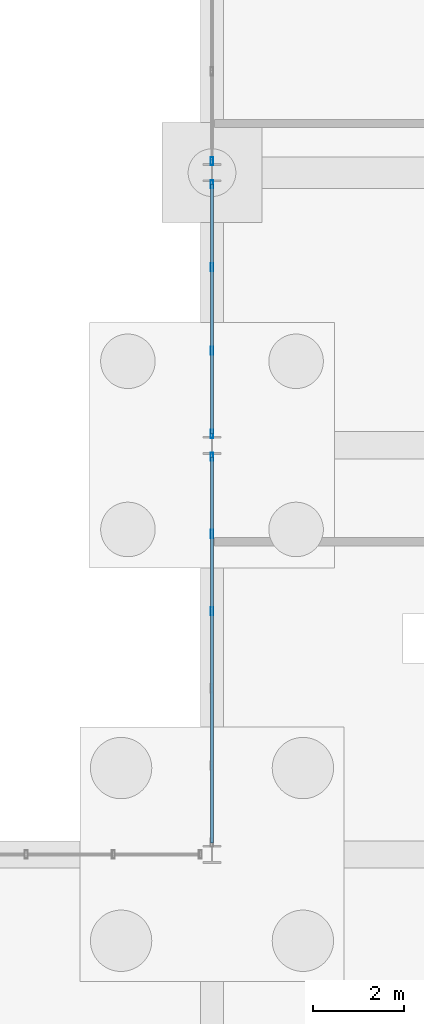
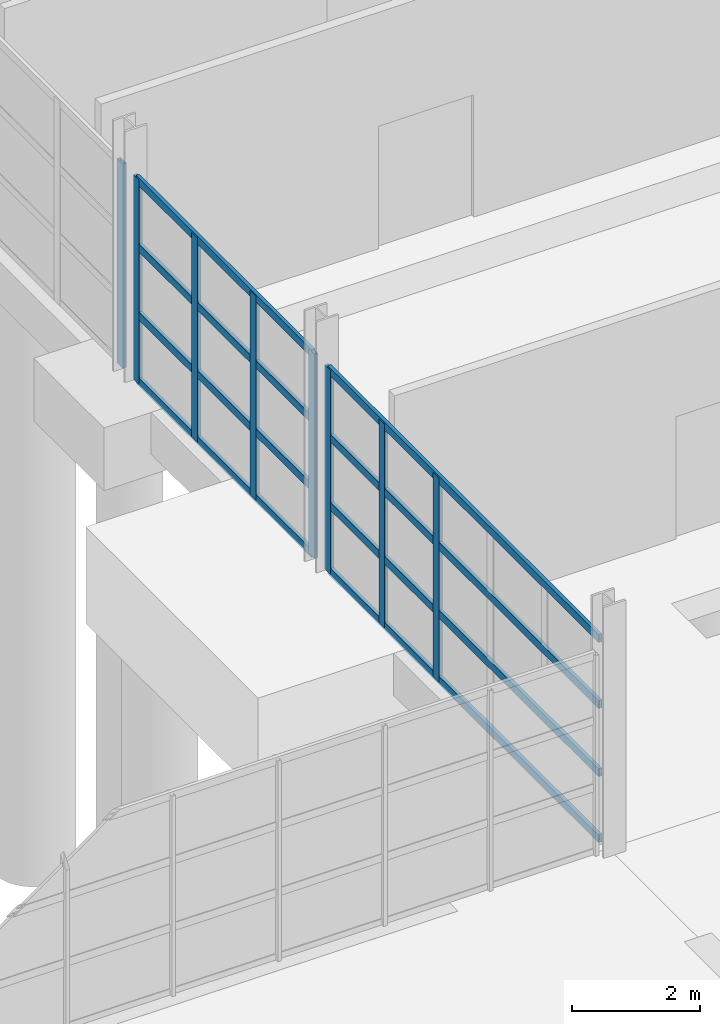
# One storey, part 37 of 82: 16 members, 3 elements without a shape of their own.
"""IFC4 building model written with IfcOpenShell, lengths in metres."""

import ifcopenshell
import ifcopenshell.guid

model = None  # the IFC model being written
_history = None  # IfcOwnerHistory: only IFC2X3 demands one
_inside = {}  # id of a spatial element -> (the spatial element, [elements in it])
_under = {}  # id of a project, library or spatial element -> (it, [spatial elements below it])
_declared = {}  # id of a project -> (the project, [libraries it declares])
_typed = {}  # id of a type object -> (the type object, [elements of that type])
_made_of = {}  # id of a material, layer set ... -> (it, [elements and type objects made of it])


def new_model(schema):
    """Start an empty IFC model of exactly this schema.

    Asked for "IFC4X3", IfcOpenShell would pick the latest addendum, in which some entities
    have other attributes; the version numbers below select the first issue.
    IFC2X3 requires an IfcOwnerHistory on every rooted entity: one is made here for all.
    """
    global model, _history
    if schema == "IFC4X3":
        model = ifcopenshell.file(schema_version=(4, 3, 0, 0))
    else:
        model = ifcopenshell.file(schema=schema)
    _inside.clear()
    _under.clear()
    _declared.clear()
    _typed.clear()
    _made_of.clear()
    _history = None
    if model.schema == "IFC2X3":
        org = make("IfcOrganization", Name="unknown")
        user = make(
            "IfcPersonAndOrganization",
            ThePerson=make("IfcPerson", FamilyName="unknown"),
            TheOrganization=org,
        )
        app = make(
            "IfcApplication",
            ApplicationDeveloper=org,
            Version="unknown",
            ApplicationFullName="unknown",
            ApplicationIdentifier="unknown",
        )
        _history = make(
            "IfcOwnerHistory",
            OwningUser=user,
            OwningApplication=app,
            ChangeAction="ADDED",
            CreationDate=0,
        )
    return model


def make(cls, **values):
    """One entity of the class cls with the attributes given. An attribute that is None is left unset."""
    return model.create_entity(
        cls, **{name: value for name, value in values.items() if value is not None}
    )


def rooted(cls, **values):
    """An entity with a GlobalId (a new one), such as an element, a storey or a relation."""
    return make(cls, GlobalId=ifcopenshell.guid.new(), OwnerHistory=_history, **values)


def si_unit(unit_type, name, prefix=None):
    """IfcSIUnit, for example si_unit("LENGTHUNIT", "METRE", prefix="MILLI")."""
    return make("IfcSIUnit", UnitType=unit_type, Prefix=prefix, Name=name)


def assignment(units):
    """IfcUnitAssignment: the units of a project."""
    return None if units is None else make("IfcUnitAssignment", Units=units)


def point(xyz):
    """IfcCartesianPoint."""
    return None if xyz is None else make("IfcCartesianPoint", Coordinates=xyz)


def direction(xyz):
    """IfcDirection."""
    return None if xyz is None else make("IfcDirection", DirectionRatios=xyz)


def frame(location, z_axis=None, x_axis=None):
    """IfcAxis2Placement3D, a coordinate frame: its origin and axes. An axis left out is left unset."""
    return make(
        "IfcAxis2Placement3D",
        Location=point(location),
        Axis=direction(z_axis),
        RefDirection=direction(x_axis),
    )


def frame_2d(location, x_axis=None):
    """IfcAxis2Placement2D, a coordinate frame in the plane: its origin and x axis."""
    return make(
        "IfcAxis2Placement2D", Location=point(location), RefDirection=direction(x_axis)
    )


def origin():
    """The frame at (0, 0, 0) with its axes left unset."""
    return frame((0.0, 0.0, 0.0))


def origin_2d():
    """The frame at (0, 0) in the plane with its x axis left unset."""
    return frame_2d((0.0, 0.0))


def place(relative_to, where):
    """IfcLocalPlacement: puts the frame where relative to a parent placement (None: the world)."""
    return make(
        "IfcLocalPlacement", PlacementRelTo=relative_to, RelativePlacement=where
    )


def context(
    kind, dimensions, precision=None, world=None, true_north=None, identifier=None
):
    """IfcGeometricRepresentationContext, for example the 3D "Model" context."""
    return make(
        "IfcGeometricRepresentationContext",
        ContextIdentifier=identifier,
        ContextType=kind,
        CoordinateSpaceDimension=dimensions,
        Precision=precision,
        WorldCoordinateSystem=world,
        TrueNorth=true_north,
    )


def subcontext(parent, identifier, kind, view, scale=None):
    """IfcGeometricRepresentationSubContext, for example "Body" below "Model"."""
    return make(
        "IfcGeometricRepresentationSubContext",
        ContextIdentifier=identifier,
        ContextType=kind,
        ParentContext=parent,
        TargetScale=scale,
        TargetView=view,
    )


def project(units=None, contexts=None):
    """IfcProject with its units and contexts."""
    return rooted(
        "IfcProject",
        Name="project",
        RepresentationContexts=contexts,
        UnitsInContext=assignment(units),
    )


def spatial(cls, under=None, at=None, **own):
    """A site, building, storey or space (cls), placed at a placement, below another one or the project."""
    s = rooted(cls, ObjectPlacement=at, **own)
    if under is not None:
        _under.setdefault(under.id(), (under, []))[1].append(s)
    return s


def profile(cls, at=None, kind="AREA", **sizes):
    """A parametric profile (cls). Its sizes go by their IFC names, for example OverallWidth=200.0."""
    return make(cls, ProfileType=kind, Position=at, **sizes)


def hollow_rectangle(**sizes):
    """IfcRectangleHollowProfileDef."""
    return profile("IfcRectangleHollowProfileDef", **sizes)


def extrude(swept, where, along, depth):
    """IfcExtrudedAreaSolid: the profile swept, set in the frame where, extruded along a direction by depth."""
    return make(
        "IfcExtrudedAreaSolid",
        SweptArea=swept,
        Position=where,
        ExtrudedDirection=direction(along),
        Depth=depth,
    )


def shape(context_of_items, identifier, shape_type, items):
    """IfcShapeRepresentation: the items that make up one representation, for example the "Body"."""
    return make(
        "IfcShapeRepresentation",
        ContextOfItems=context_of_items,
        RepresentationIdentifier=identifier,
        RepresentationType=shape_type,
        Items=items,
    )


def material(Name=None, Category=None):
    """IfcMaterial."""
    return make("IfcMaterial", Name=Name, Category=Category)


def material_profile(
    of_material, cross_section, Name=None, Category=None, Priority=None
):
    """IfcMaterialProfile: a cross section and its material."""
    return make(
        "IfcMaterialProfile",
        Name=Name,
        Material=of_material,
        Profile=cross_section,
        Priority=Priority,
        Category=Category,
    )


def profile_set(profiles, Name=None, composite=None):
    """IfcMaterialProfileSet."""
    return make(
        "IfcMaterialProfileSet",
        Name=Name,
        MaterialProfiles=profiles,
        CompositeProfile=composite,
    )


def made_of(thing, what):
    """Note that an element or type object is made of a material, layer set ...; save() writes the relation."""
    if what is not None:
        _made_of.setdefault(what.id(), (what, []))[1].append(thing)
    return thing


def type_object(cls, material=None, **own):
    """A type object (cls), such as IfcWallType, which elements share."""
    return made_of(rooted(cls, **own), material)


def element(
    cls,
    number,
    at=None,
    inside=None,
    cuts=None,
    type_object=None,
    material=None,
    context=None,
    identifier="Body",
    shape_type=None,
    held_by="IfcProductDefinitionShape",
    body=None,
    shapes=None,
    **own,
):
    """One element of the class cls, such as IfcWall. Its Tag is "e" and its number.

    at: its placement. inside: the storey or other place that contains it. cuts: it is an
    opening in that element (IfcRelVoidsElement). A single representation is given by context,
    identifier, shape_type and body (its items); several are given by shapes. held_by: the class
    of the entity that holds the representations. save() writes the other relations.
    """
    e = rooted(cls, Tag="e%d" % number, ObjectPlacement=at, **own)
    if body is not None:
        shapes = [shape(context, identifier, shape_type, body)]
    if shapes is not None:
        e.Representation = make(held_by, Representations=shapes)
    if inside is not None:
        _inside.setdefault(inside.id(), (inside, []))[1].append(e)
    if cuts is not None:
        rooted(
            "IfcRelVoidsElement", RelatingBuildingElement=cuts, RelatedOpeningElement=e
        )
    if type_object is not None:
        _typed.setdefault(type_object.id(), (type_object, []))[1].append(e)
    return made_of(e, material)


def aggregate(whole, parts):
    """IfcRelAggregates: a whole, such as a stair, and the parts it consists of."""
    return rooted("IfcRelAggregates", RelatingObject=whole, RelatedObjects=parts)


def save(model, path):
    """Write the relations noted so far, then the file.

    IfcRelAggregates (storeys below a building ...), IfcRelContainedInSpatialStructure (elements
    in a storey), IfcRelDefinesByType, IfcRelAssociatesMaterial and IfcRelDeclares: one each for
    every whole, place, type object, material and project.
    """
    for whole, parts in _under.values():
        aggregate(whole, parts)
    for where, things in _inside.values():
        rooted(
            "IfcRelContainedInSpatialStructure",
            RelatedElements=things,
            RelatingStructure=where,
        )
    for kind, things in _typed.values():
        rooted("IfcRelDefinesByType", RelatedObjects=things, RelatingType=kind)
    for what, things in _made_of.values():
        rooted("IfcRelAssociatesMaterial", RelatedObjects=things, RelatingMaterial=what)
    for by, libraries in _declared.values():
        rooted("IfcRelDeclares", RelatingContext=by, RelatedDefinitions=libraries)
    model.write(path)


model = new_model("IFC4")

# Units and contexts
model_context = context("Model", 3, precision=1e-05, world=origin(), true_north=direction((0.0, 1.0)))
body_context = subcontext(model_context, "Body", "Model", "MODEL_VIEW")
ifc_project = project(units=[si_unit("LENGTHUNIT", "METRE"), si_unit("AREAUNIT", "SQUARE_METRE"), si_unit("VOLUMEUNIT", "CUBIC_METRE"), si_unit("PLANEANGLEUNIT", "RADIAN"), si_unit("MASSUNIT", "GRAM", prefix="KILO")], contexts=[model_context])

# Site, building, storey
site_placement = place(None, origin())
site = spatial("IfcSite", under=ifc_project, at=site_placement, CompositionType="ELEMENT")
building_placement = place(site_placement, origin())
building = spatial("IfcBuilding", under=site, at=building_placement, Name="Kelmvaro Bay Concert Hall", CompositionType="ELEMENT")
storey_placement = place(building_placement, origin())
storey = spatial("IfcBuildingStorey", under=building, at=storey_placement, Name="L00", CompositionType="ELEMENT", Elevation=0.0)

# Curtain wall, members
ifc_material_1 = material(Name="Anodised Aluminium and Low-E Insulated Glazing", Category="aluminium")
curtain_wall_type = type_object("IfcCurtainWallType", Name="Chamber Foyer Curtain Wall 3900", PredefinedType="USERDEFINED", material=ifc_material_1)
curtain_wall_1_placement = place(storey_placement, origin())
curtain_wall_1 = element("IfcCurtainWall", 1, at=curtain_wall_1_placement, inside=storey, type_object=curtain_wall_type, Name="Unitised Curtain Wall CW-L00-032", ObjectType="UNITISED GLAZING", PredefinedType="USERDEFINED")
ifc_material_2 = material(Name="Anodised Extruded Aluminium 6063-T6", Category="aluminium")
ifc_material_profile_1 = material_profile(ifc_material_2, hollow_rectangle(XDim=0.06494140625, YDim=0.179931640625, WallThickness=0.00390625, at=origin_2d()), Name="ALU-MUL-180X65")
ifc_profile_set_1 = profile_set([ifc_material_profile_1], Name="Anodised Extruded Aluminium 6063-T6")
member_type_1 = type_object("IfcMemberType", Name="Curtain Mullion ALU 180x65", PredefinedType="MULLION", material=ifc_profile_set_1)
member_1_placement = place(storey_placement, frame((120.0, 79.150634765625, 0.0), z_axis=(0.0, 0.0, 1.0), x_axis=(1.0, 0.0, 0.0)))
member_1 = element("IfcMember", 2, at=member_1_placement, type_object=member_type_1, Name="CW-L00-032 Mullion 04", PredefinedType="MULLION", context=body_context, shape_type="SweptSolid", body=[
    extrude(hollow_rectangle(XDim=0.06494140625, YDim=0.179931640625, WallThickness=0.00390625, at=origin_2d()), origin(), (0.0, 0.0, 1.0), 3.908935546875),
])
member_2_placement = place(storey_placement, frame((120.0, 80.849365234375, 0.0), z_axis=(0.0, 0.0, 1.0), x_axis=(1.0, 0.0, 0.0)))
member_2 = element("IfcMember", 3, at=member_2_placement, type_object=member_type_1, Name="CW-L00-032 Mullion 05", PredefinedType="MULLION", context=body_context, shape_type="SweptSolid", body=[
    extrude(hollow_rectangle(XDim=0.06494140625, YDim=0.179931640625, WallThickness=0.00390625, at=origin_2d()), origin(), (0.0, 0.0, 1.0), 3.908935546875),
])
member_3_placement = place(storey_placement, frame((120.0, 82.548095703125, 0.0), z_axis=(0.0, 0.0, 1.0), x_axis=(1.0, 0.0, 0.0)))
member_3 = element("IfcMember", 4, at=member_3_placement, type_object=member_type_1, Name="CW-L00-032 Mullion 06", PredefinedType="MULLION", context=body_context, shape_type="SweptSolid", body=[
    extrude(hollow_rectangle(XDim=0.06494140625, YDim=0.179931640625, WallThickness=0.00390625, at=origin_2d()), origin(), (0.0, 0.0, 1.0), 3.908935546875),
])

curtain_wall_2_placement = place(storey_placement, origin())
curtain_wall_2 = element("IfcCurtainWall", 5, at=curtain_wall_2_placement, inside=storey, type_object=curtain_wall_type, Name="Unitised Curtain Wall CW-L00-033", ObjectType="UNITISED GLAZING", PredefinedType="USERDEFINED")
member_4_placement = place(storey_placement, frame((120.0, 83.052001953125, 0.0), z_axis=(0.0, 0.0, 1.0), x_axis=(1.0, 0.0, 0.0)))
member_4 = element("IfcMember", 6, at=member_4_placement, type_object=member_type_1, Name="CW-L00-033 Mullion 01", PredefinedType="MULLION", context=body_context, shape_type="SweptSolid", body=[
    extrude(hollow_rectangle(XDim=0.06494140625, YDim=0.179931640625, WallThickness=0.00390625, at=origin_2d()), origin(), (0.0, 0.0, 1.0), 3.907958984375),
])
member_5_placement = place(storey_placement, frame((120.0, 84.884033203125, 0.0), z_axis=(0.0, 0.0, 1.0), x_axis=(1.0, 0.0, 0.0)))
member_5 = element("IfcMember", 7, at=member_5_placement, type_object=member_type_1, Name="CW-L00-033 Mullion 02", PredefinedType="MULLION", context=body_context, shape_type="SweptSolid", body=[
    extrude(hollow_rectangle(XDim=0.06494140625, YDim=0.179931640625, WallThickness=0.00390625, at=origin_2d()), origin(), (0.0, 0.0, 1.0), 3.907958984375),
])
member_6_placement = place(storey_placement, frame((120.0, 86.716064453125, 0.0), z_axis=(0.0, 0.0, 1.0), x_axis=(1.0, 0.0, 0.0)))
member_6 = element("IfcMember", 8, at=member_6_placement, type_object=member_type_1, Name="CW-L00-033 Mullion 03", PredefinedType="MULLION", context=body_context, shape_type="SweptSolid", body=[
    extrude(hollow_rectangle(XDim=0.06494140625, YDim=0.179931640625, WallThickness=0.00390625, at=origin_2d()), origin(), (0.0, 0.0, 1.0), 3.907958984375),
])
member_7_placement = place(storey_placement, frame((120.0, 88.548095703125, 0.0), z_axis=(0.0, 0.0, 1.0), x_axis=(1.0, 0.0, 0.0)))
member_7 = element("IfcMember", 9, at=member_7_placement, type_object=member_type_1, Name="CW-L00-033 Mullion 04", PredefinedType="MULLION", context=body_context, shape_type="SweptSolid", body=[
    extrude(hollow_rectangle(XDim=0.06494140625, YDim=0.179931640625, WallThickness=0.00390625, at=origin_2d()), origin(), (0.0, 0.0, 1.0), 3.907958984375),
])

# Curtain wall, member
curtain_wall_3_placement = place(storey_placement, origin())
curtain_wall_3 = element("IfcCurtainWall", 10, at=curtain_wall_3_placement, inside=storey, type_object=curtain_wall_type, Name="Unitised Curtain Wall CW-L00-034", ObjectType="UNITISED GLAZING", PredefinedType="USERDEFINED")
member_8_placement = place(storey_placement, frame((120.0, 89.052001953125, 0.0), z_axis=(0.0, 0.0, 1.0), x_axis=(1.0, 0.0, 0.0)))
member_8 = element("IfcMember", 11, at=member_8_placement, type_object=member_type_1, Name="CW-L00-034 Mullion 01", PredefinedType="MULLION", context=body_context, shape_type="SweptSolid", body=[
    extrude(hollow_rectangle(XDim=0.06494140625, YDim=0.179931640625, WallThickness=0.00390625, at=origin_2d()), origin(), (0.0, 0.0, 1.0), 3.907958984375),
])
aggregate(curtain_wall_3, [member_8])

# Member
ifc_material_3 = material(Name="Anodised Extruded Aluminium 6063-T6", Category="aluminium")
ifc_material_profile_2 = material_profile(ifc_material_3, hollow_rectangle(XDim=0.06494140625, YDim=0.14990234375, WallThickness=0.00390625, at=origin_2d()), Name="ALU-TRN-150X65")
ifc_profile_set_2 = profile_set([ifc_material_profile_2], Name="Anodised Extruded Aluminium 6063-T6")
member_type_2 = type_object("IfcMemberType", Name="Curtain Transom ALU 150x65", PredefinedType="USERDEFINED", material=ifc_profile_set_2)
member_9_placement = place(storey_placement, frame((120.0, 74.054443359375, 0.0400390625), z_axis=(0.0, 1.0, 0.0), x_axis=(-1.0, 0.0, 0.0)))
member_9 = element("IfcMember", 12, at=member_9_placement, type_object=member_type_2, Name="CW-L00-032 Transom 01", ObjectType="TRANSOM", PredefinedType="USERDEFINED", context=body_context, shape_type="SweptSolid", body=[
    extrude(hollow_rectangle(XDim=0.06494140625, YDim=0.14990234375, WallThickness=0.00390625, at=origin_2d()), origin(), (0.0, 0.0, 1.0), 8.49365234375),
])

member_10_placement = place(storey_placement, frame((120.0, 74.054443359375, 1.302978515625), z_axis=(0.0, 1.0, 0.0), x_axis=(-1.0, 0.0, 0.0)))
member_10 = element("IfcMember", 13, at=member_10_placement, type_object=member_type_2, Name="CW-L00-032 Transom 02", ObjectType="TRANSOM", PredefinedType="USERDEFINED", context=body_context, shape_type="SweptSolid", body=[
    extrude(hollow_rectangle(XDim=0.06494140625, YDim=0.14990234375, WallThickness=0.00390625, at=origin_2d()), origin(), (0.0, 0.0, 1.0), 8.49365234375),
])

member_11_placement = place(storey_placement, frame((120.0, 74.054443359375, 2.60595703125), z_axis=(0.0, 1.0, 0.0), x_axis=(-1.0, 0.0, 0.0)))
member_11 = element("IfcMember", 14, at=member_11_placement, type_object=member_type_2, Name="CW-L00-032 Transom 03", ObjectType="TRANSOM", PredefinedType="USERDEFINED", context=body_context, shape_type="SweptSolid", body=[
    extrude(hollow_rectangle(XDim=0.06494140625, YDim=0.14990234375, WallThickness=0.00390625, at=origin_2d()), origin(), (0.0, 0.0, 1.0), 8.49365234375),
])

member_12_placement = place(storey_placement, frame((120.0, 74.054443359375, 3.868896484375), z_axis=(0.0, 1.0, 0.0), x_axis=(-1.0, 0.0, 0.0)))
member_12 = element("IfcMember", 15, at=member_12_placement, type_object=member_type_2, Name="CW-L00-032 Transom 04", ObjectType="TRANSOM", PredefinedType="USERDEFINED", context=body_context, shape_type="SweptSolid", body=[
    extrude(hollow_rectangle(XDim=0.06494140625, YDim=0.14990234375, WallThickness=0.00390625, at=origin_2d()), origin(), (0.0, 0.0, 1.0), 8.49365234375),
])

aggregate(curtain_wall_1, [member_1, member_2, member_3, member_9, member_10, member_11, member_12])

member_13_placement = place(storey_placement, frame((120.0, 83.052001953125, 0.0400390625), z_axis=(0.0, 1.0, 0.0), x_axis=(-1.0, 0.0, 0.0)))
member_13 = element("IfcMember", 16, at=member_13_placement, type_object=member_type_2, Name="CW-L00-033 Transom 01", ObjectType="TRANSOM", PredefinedType="USERDEFINED", context=body_context, shape_type="SweptSolid", body=[
    extrude(hollow_rectangle(XDim=0.06494140625, YDim=0.14990234375, WallThickness=0.00390625, at=origin_2d()), origin(), (0.0, 0.0, 1.0), 5.49609375),
])

member_14_placement = place(storey_placement, frame((120.0, 83.052001953125, 1.302734375), z_axis=(0.0, 1.0, 0.0), x_axis=(-1.0, 0.0, 0.0)))
member_14 = element("IfcMember", 17, at=member_14_placement, type_object=member_type_2, Name="CW-L00-033 Transom 02", ObjectType="TRANSOM", PredefinedType="USERDEFINED", context=body_context, shape_type="SweptSolid", body=[
    extrude(hollow_rectangle(XDim=0.06494140625, YDim=0.14990234375, WallThickness=0.00390625, at=origin_2d()), origin(), (0.0, 0.0, 1.0), 5.49609375),
])

member_15_placement = place(storey_placement, frame((120.0, 83.052001953125, 2.605224609375), z_axis=(0.0, 1.0, 0.0), x_axis=(-1.0, 0.0, 0.0)))
member_15 = element("IfcMember", 18, at=member_15_placement, type_object=member_type_2, Name="CW-L00-033 Transom 03", ObjectType="TRANSOM", PredefinedType="USERDEFINED", context=body_context, shape_type="SweptSolid", body=[
    extrude(hollow_rectangle(XDim=0.06494140625, YDim=0.14990234375, WallThickness=0.00390625, at=origin_2d()), origin(), (0.0, 0.0, 1.0), 5.49609375),
])

member_16_placement = place(storey_placement, frame((120.0, 83.052001953125, 3.867919921875), z_axis=(0.0, 1.0, 0.0), x_axis=(-1.0, 0.0, 0.0)))
member_16 = element("IfcMember", 19, at=member_16_placement, type_object=member_type_2, Name="CW-L00-033 Transom 04", ObjectType="TRANSOM", PredefinedType="USERDEFINED", context=body_context, shape_type="SweptSolid", body=[
    extrude(hollow_rectangle(XDim=0.06494140625, YDim=0.14990234375, WallThickness=0.00390625, at=origin_2d()), origin(), (0.0, 0.0, 1.0), 5.49609375),
])

aggregate(curtain_wall_2, [member_4, member_5, member_6, member_7, member_13, member_14, member_15, member_16])

save(model, "model.ifc")
